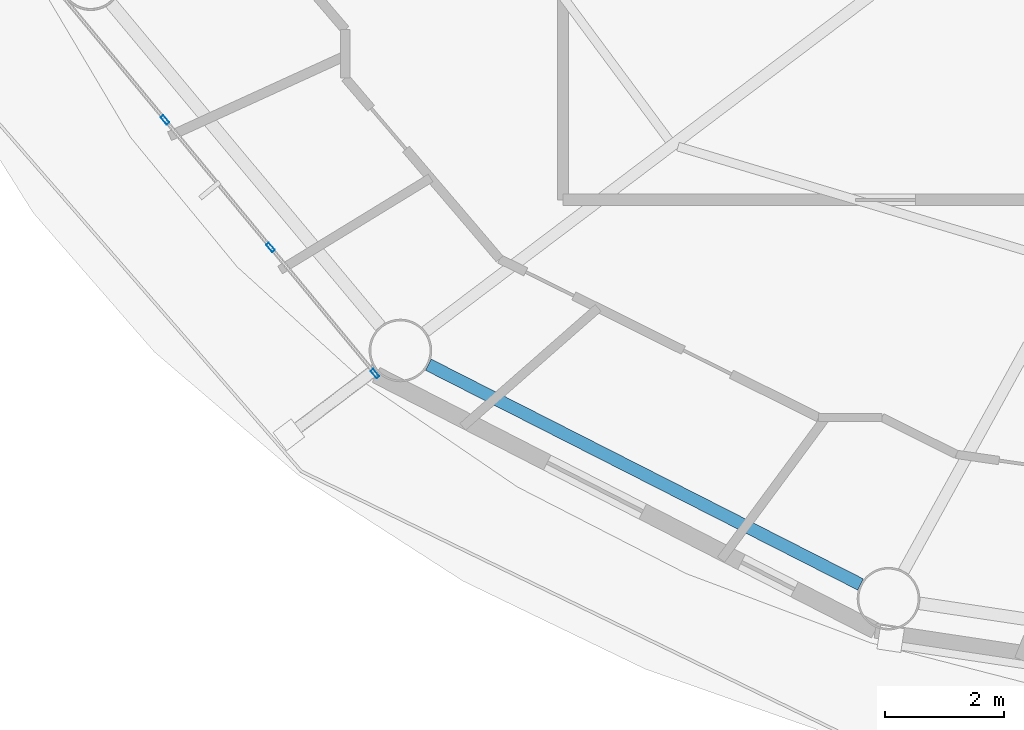
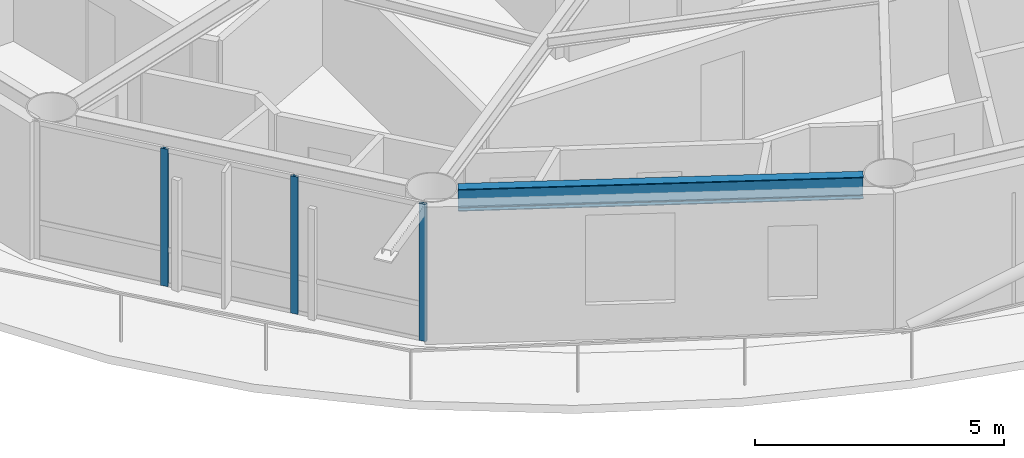
# One storey, part 2 of 23: 3 members, 1 beam, 1 element without a shape of its own.
"""IFC4 building model written with IfcOpenShell, lengths in metres."""

import ifcopenshell
import ifcopenshell.guid

model = None  # the IFC model being written
_history = None  # IfcOwnerHistory: only IFC2X3 demands one
_inside = {}  # id of a spatial element -> (the spatial element, [elements in it])
_under = {}  # id of a project, library or spatial element -> (it, [spatial elements below it])
_declared = {}  # id of a project -> (the project, [libraries it declares])
_typed = {}  # id of a type object -> (the type object, [elements of that type])
_made_of = {}  # id of a material, layer set ... -> (it, [elements and type objects made of it])


def new_model(schema):
    """Start an empty IFC model of exactly this schema.

    Asked for "IFC4X3", IfcOpenShell would pick the latest addendum, in which some entities
    have other attributes; the version numbers below select the first issue.
    IFC2X3 requires an IfcOwnerHistory on every rooted entity: one is made here for all.
    """
    global model, _history
    if schema == "IFC4X3":
        model = ifcopenshell.file(schema_version=(4, 3, 0, 0))
    else:
        model = ifcopenshell.file(schema=schema)
    _inside.clear()
    _under.clear()
    _declared.clear()
    _typed.clear()
    _made_of.clear()
    _history = None
    if model.schema == "IFC2X3":
        org = make("IfcOrganization", Name="unknown")
        user = make(
            "IfcPersonAndOrganization",
            ThePerson=make("IfcPerson", FamilyName="unknown"),
            TheOrganization=org,
        )
        app = make(
            "IfcApplication",
            ApplicationDeveloper=org,
            Version="unknown",
            ApplicationFullName="unknown",
            ApplicationIdentifier="unknown",
        )
        _history = make(
            "IfcOwnerHistory",
            OwningUser=user,
            OwningApplication=app,
            ChangeAction="ADDED",
            CreationDate=0,
        )
    return model


def make(cls, **values):
    """One entity of the class cls with the attributes given. An attribute that is None is left unset."""
    return model.create_entity(
        cls, **{name: value for name, value in values.items() if value is not None}
    )


def rooted(cls, **values):
    """An entity with a GlobalId (a new one), such as an element, a storey or a relation."""
    return make(cls, GlobalId=ifcopenshell.guid.new(), OwnerHistory=_history, **values)


def si_unit(unit_type, name, prefix=None):
    """IfcSIUnit, for example si_unit("LENGTHUNIT", "METRE", prefix="MILLI")."""
    return make("IfcSIUnit", UnitType=unit_type, Prefix=prefix, Name=name)


def assignment(units):
    """IfcUnitAssignment: the units of a project."""
    return None if units is None else make("IfcUnitAssignment", Units=units)


def point(xyz):
    """IfcCartesianPoint."""
    return None if xyz is None else make("IfcCartesianPoint", Coordinates=xyz)


def direction(xyz):
    """IfcDirection."""
    return None if xyz is None else make("IfcDirection", DirectionRatios=xyz)


def frame(location, z_axis=None, x_axis=None):
    """IfcAxis2Placement3D, a coordinate frame: its origin and axes. An axis left out is left unset."""
    return make(
        "IfcAxis2Placement3D",
        Location=point(location),
        Axis=direction(z_axis),
        RefDirection=direction(x_axis),
    )


def frame_2d(location, x_axis=None):
    """IfcAxis2Placement2D, a coordinate frame in the plane: its origin and x axis."""
    return make(
        "IfcAxis2Placement2D", Location=point(location), RefDirection=direction(x_axis)
    )


def origin():
    """The frame at (0, 0, 0) with its axes left unset."""
    return frame((0.0, 0.0, 0.0))


def origin_2d():
    """The frame at (0, 0) in the plane with its x axis left unset."""
    return frame_2d((0.0, 0.0))


def place(relative_to, where):
    """IfcLocalPlacement: puts the frame where relative to a parent placement (None: the world)."""
    return make(
        "IfcLocalPlacement", PlacementRelTo=relative_to, RelativePlacement=where
    )


def context(
    kind, dimensions, precision=None, world=None, true_north=None, identifier=None
):
    """IfcGeometricRepresentationContext, for example the 3D "Model" context."""
    return make(
        "IfcGeometricRepresentationContext",
        ContextIdentifier=identifier,
        ContextType=kind,
        CoordinateSpaceDimension=dimensions,
        Precision=precision,
        WorldCoordinateSystem=world,
        TrueNorth=true_north,
    )


def subcontext(parent, identifier, kind, view, scale=None):
    """IfcGeometricRepresentationSubContext, for example "Body" below "Model"."""
    return make(
        "IfcGeometricRepresentationSubContext",
        ContextIdentifier=identifier,
        ContextType=kind,
        ParentContext=parent,
        TargetScale=scale,
        TargetView=view,
    )


def project(units=None, contexts=None):
    """IfcProject with its units and contexts."""
    return rooted(
        "IfcProject",
        Name="project",
        RepresentationContexts=contexts,
        UnitsInContext=assignment(units),
    )


def spatial(cls, under=None, at=None, **own):
    """A site, building, storey or space (cls), placed at a placement, below another one or the project."""
    s = rooted(cls, ObjectPlacement=at, **own)
    if under is not None:
        _under.setdefault(under.id(), (under, []))[1].append(s)
    return s


def profile(cls, at=None, kind="AREA", **sizes):
    """A parametric profile (cls). Its sizes go by their IFC names, for example OverallWidth=200.0."""
    return make(cls, ProfileType=kind, Position=at, **sizes)


def hollow_rectangle(**sizes):
    """IfcRectangleHollowProfileDef."""
    return profile("IfcRectangleHollowProfileDef", **sizes)


def i_section(**sizes):
    """IfcIShapeProfileDef."""
    return profile("IfcIShapeProfileDef", **sizes)


def extrude(swept, where, along, depth):
    """IfcExtrudedAreaSolid: the profile swept, set in the frame where, extruded along a direction by depth."""
    return make(
        "IfcExtrudedAreaSolid",
        SweptArea=swept,
        Position=where,
        ExtrudedDirection=direction(along),
        Depth=depth,
    )


def shape(context_of_items, identifier, shape_type, items):
    """IfcShapeRepresentation: the items that make up one representation, for example the "Body"."""
    return make(
        "IfcShapeRepresentation",
        ContextOfItems=context_of_items,
        RepresentationIdentifier=identifier,
        RepresentationType=shape_type,
        Items=items,
    )


def material(Name=None, Category=None):
    """IfcMaterial."""
    return make("IfcMaterial", Name=Name, Category=Category)


def layer(
    of_material, thickness, ventilated=None, Name=None, Category=None, Priority=None
):
    """IfcMaterialLayer: one layer of a wall or slab, of a material (None: an air gap)."""
    return make(
        "IfcMaterialLayer",
        Material=of_material,
        LayerThickness=thickness,
        IsVentilated=ventilated,
        Name=Name,
        Category=Category,
        Priority=Priority,
    )


def layer_set(layers, Name=None):
    """IfcMaterialLayerSet."""
    return make("IfcMaterialLayerSet", MaterialLayers=layers, LayerSetName=Name)


def material_profile(
    of_material, cross_section, Name=None, Category=None, Priority=None
):
    """IfcMaterialProfile: a cross section and its material."""
    return make(
        "IfcMaterialProfile",
        Name=Name,
        Material=of_material,
        Profile=cross_section,
        Priority=Priority,
        Category=Category,
    )


def profile_set(profiles, Name=None, composite=None):
    """IfcMaterialProfileSet."""
    return make(
        "IfcMaterialProfileSet",
        Name=Name,
        MaterialProfiles=profiles,
        CompositeProfile=composite,
    )


def made_of(thing, what):
    """Note that an element or type object is made of a material, layer set ...; save() writes the relation."""
    if what is not None:
        _made_of.setdefault(what.id(), (what, []))[1].append(thing)
    return thing


def type_object(cls, material=None, **own):
    """A type object (cls), such as IfcWallType, which elements share."""
    return made_of(rooted(cls, **own), material)


def element(
    cls,
    number,
    at=None,
    inside=None,
    cuts=None,
    type_object=None,
    material=None,
    context=None,
    identifier="Body",
    shape_type=None,
    held_by="IfcProductDefinitionShape",
    body=None,
    shapes=None,
    **own,
):
    """One element of the class cls, such as IfcWall. Its Tag is "e" and its number.

    at: its placement. inside: the storey or other place that contains it. cuts: it is an
    opening in that element (IfcRelVoidsElement). A single representation is given by context,
    identifier, shape_type and body (its items); several are given by shapes. held_by: the class
    of the entity that holds the representations. save() writes the other relations.
    """
    e = rooted(cls, Tag="e%d" % number, ObjectPlacement=at, **own)
    if body is not None:
        shapes = [shape(context, identifier, shape_type, body)]
    if shapes is not None:
        e.Representation = make(held_by, Representations=shapes)
    if inside is not None:
        _inside.setdefault(inside.id(), (inside, []))[1].append(e)
    if cuts is not None:
        rooted(
            "IfcRelVoidsElement", RelatingBuildingElement=cuts, RelatedOpeningElement=e
        )
    if type_object is not None:
        _typed.setdefault(type_object.id(), (type_object, []))[1].append(e)
    return made_of(e, material)


def aggregate(whole, parts):
    """IfcRelAggregates: a whole, such as a stair, and the parts it consists of."""
    return rooted("IfcRelAggregates", RelatingObject=whole, RelatedObjects=parts)


def save(model, path):
    """Write the relations noted so far, then the file.

    IfcRelAggregates (storeys below a building ...), IfcRelContainedInSpatialStructure (elements
    in a storey), IfcRelDefinesByType, IfcRelAssociatesMaterial and IfcRelDeclares: one each for
    every whole, place, type object, material and project.
    """
    for whole, parts in _under.values():
        aggregate(whole, parts)
    for where, things in _inside.values():
        rooted(
            "IfcRelContainedInSpatialStructure",
            RelatedElements=things,
            RelatingStructure=where,
        )
    for kind, things in _typed.values():
        rooted("IfcRelDefinesByType", RelatedObjects=things, RelatingType=kind)
    for what, things in _made_of.values():
        rooted("IfcRelAssociatesMaterial", RelatedObjects=things, RelatingMaterial=what)
    for by, libraries in _declared.values():
        rooted("IfcRelDeclares", RelatingContext=by, RelatedDefinitions=libraries)
    model.write(path)


model = new_model("IFC4")

# Units and contexts
model_context = context("Model", 3, precision=1e-05, world=origin(), true_north=direction((0.0, 1.0)))
body_context = subcontext(model_context, "Body", "Model", "MODEL_VIEW")
ifc_project = project(units=[si_unit("LENGTHUNIT", "METRE"), si_unit("AREAUNIT", "SQUARE_METRE"), si_unit("VOLUMEUNIT", "CUBIC_METRE"), si_unit("PLANEANGLEUNIT", "RADIAN"), si_unit("MASSUNIT", "GRAM", prefix="KILO")], contexts=[model_context])

# Site, building, storey
site_placement = place(None, origin())
site = spatial("IfcSite", under=ifc_project, at=site_placement, CompositionType="ELEMENT")
building_placement = place(site_placement, origin())
building = spatial("IfcBuilding", under=site, at=building_placement, Name="Sarneth Arch Tower", CompositionType="ELEMENT")
storey_placement = place(building_placement, frame((0.0, 0.0, 242.39990234375)))
storey = spatial("IfcBuildingStorey", under=building, at=storey_placement, Name="L62", CompositionType="ELEMENT", Elevation=242.39990234375)

# Beam
ifc_material_1 = material(Name="Steel S355", Category="steel")
ifc_material_profile_1 = material_profile(ifc_material_1, i_section(OverallWidth=0.2109375, OverallDepth=0.5390625, WebThickness=0.01171875, FlangeThickness=0.018798828125, FilletRadius=0.01806640625, at=origin_2d()), Name="W530x109")
ifc_profile_set_1 = profile_set([ifc_material_profile_1], Name="Steel S355")
beam_type = type_object("IfcBeamType", Name="BM-RAD-530B", PredefinedType="BEAM", material=ifc_profile_set_1)
beam_placement = place(storey_placement, frame((30.49267578125, 28.185546875, 3.090576171875), z_axis=(0.891368271482, -0.453279830342, 0.0), x_axis=(0.453279830342, 0.891368271482, 0.0)))
element("IfcBeam", 1, at=beam_placement, inside=storey, type_object=beam_type, Name="L62 Perimeter spandrel beam 11", PredefinedType="BEAM", context=body_context, shape_type="SweptSolid", body=[
    extrude(i_section(OverallWidth=0.2109375, OverallDepth=0.5390625, WebThickness=0.01171875, FlangeThickness=0.018798828125, FilletRadius=0.01806640625, at=origin_2d()), origin(), (0.0, 0.0, 1.0), 8.1318359375),
])

# Curtain wall, members
ifc_material_2 = material(Name="Anodised aluminium Type AA25 and solar-control low-e laminated IGU", Category="aluminium")
ifc_layer = layer(ifc_material_2, 0.179931640625)
ifc_layer_set = layer_set([ifc_layer], Name="Anodised aluminium Type AA25 and solar-control low-e laminated IGU")
curtain_wall_type = type_object("IfcCurtainWallType", Name="CW-RES-HIGH", PredefinedType="NOTDEFINED", material=ifc_layer_set)
curtain_wall_placement = place(storey_placement, origin())
curtain_wall = element("IfcCurtainWall", 2, at=curtain_wall_placement, inside=storey, type_object=curtain_wall_type, Name="L62 Unitised curtain wall facet 10", PredefinedType="NOTDEFINED")
ifc_material_3 = material(Name="Anodised Aluminium 6063-T6", Category="aluminium")
ifc_material_profile_2 = material_profile(ifc_material_3, hollow_rectangle(XDim=0.06005859375, YDim=0.159912109375, WallThickness=0.00390625, at=origin_2d()), Name="AL-MULL-160x60x4")
ifc_profile_set_2 = profile_set([ifc_material_profile_2], Name="Anodised Aluminium 6063-T6")
member_type = type_object("IfcMemberType", Name="CW-MULLION", PredefinedType="MULLION", material=ifc_profile_set_2)
member_1_placement = place(storey_placement, frame((26.07666015625, 32.29150390625, 0.0), z_axis=(0.0, 0.0, 1.0), x_axis=(0.770359245933, 0.637610094184, 0.0)))
member_1 = element("IfcMember", 3, at=member_1_placement, type_object=member_type, Name="CW-SYS-6 mullion 2", PredefinedType="MULLION", context=body_context, shape_type="SweptSolid", body=[
    extrude(hollow_rectangle(XDim=0.06005859375, YDim=0.159912109375, WallThickness=0.00390625, at=origin_2d()), origin(), (0.0, 0.0, 1.0), 3.360107421875),
])
member_2_placement = place(storey_placement, frame((27.84716796875, 30.15234375, 0.0), z_axis=(0.0, 0.0, 1.0), x_axis=(0.770359245933, 0.637610094184, 0.0)))
member_2 = element("IfcMember", 4, at=member_2_placement, type_object=member_type, Name="CW-SYS-6 mullion 3", PredefinedType="MULLION", context=body_context, shape_type="SweptSolid", body=[
    extrude(hollow_rectangle(XDim=0.06005859375, YDim=0.159912109375, WallThickness=0.00390625, at=origin_2d()), origin(), (0.0, 0.0, 1.0), 3.360107421875),
])
member_3_placement = place(storey_placement, frame((29.598388671875, 28.03662109375, 0.0), z_axis=(0.0, 0.0, 1.0), x_axis=(0.770359245933, 0.637610094184, 0.0)))
member_3 = element("IfcMember", 5, at=member_3_placement, type_object=member_type, Name="CW-SYS-6 mullion 4", PredefinedType="MULLION", context=body_context, shape_type="SweptSolid", body=[
    extrude(hollow_rectangle(XDim=0.06005859375, YDim=0.159912109375, WallThickness=0.00390625, at=origin_2d()), origin(), (0.0, 0.0, 1.0), 3.360107421875),
])
aggregate(curtain_wall, [member_1, member_2, member_3])

save(model, "model.ifc")
